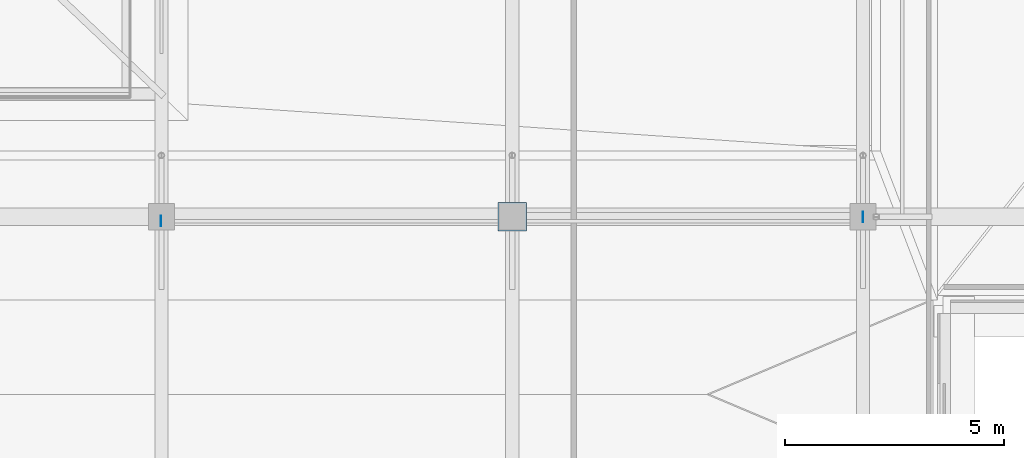
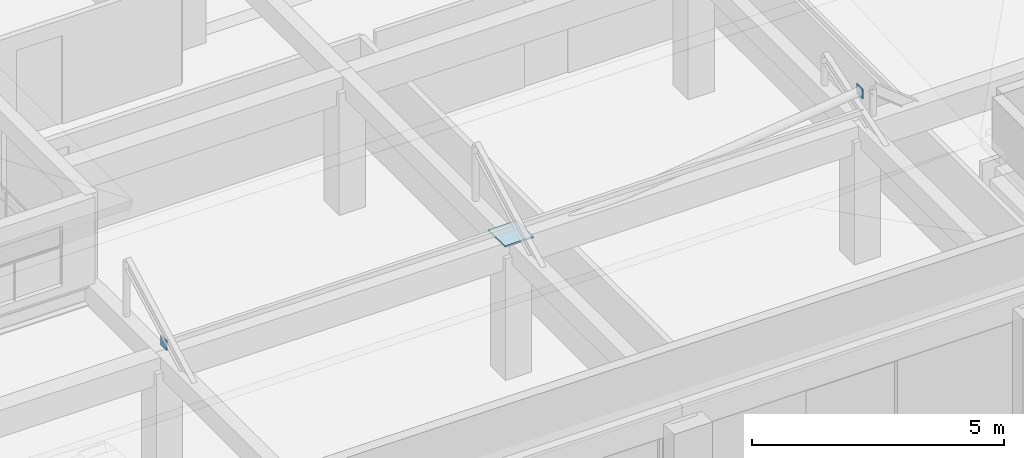
# One storey, part 32 of 39: 3 plates.
"""IFC4 building model written with IfcOpenShell, lengths in metres."""

from ifc_helpers import new_model, si_unit, direction, frame, origin, origin_2d, place, context, subcontext, project, spatial, rectangle, extrude, material, layer, layer_set, type_object, element, save


model = new_model("IFC4")

# Units and contexts
model_context = context("Model", 3, precision=1e-05, world=origin(), true_north=direction((0.0, 1.0)))
body_context = subcontext(model_context, "Body", "Model", "MODEL_VIEW")
ifc_project = project(units=[si_unit("LENGTHUNIT", "METRE"), si_unit("AREAUNIT", "SQUARE_METRE"), si_unit("VOLUMEUNIT", "CUBIC_METRE"), si_unit("PLANEANGLEUNIT", "RADIAN"), si_unit("MASSUNIT", "GRAM", prefix="KILO")], contexts=[model_context])

# Site, building, storey
site_placement = place(None, origin())
site = spatial("IfcSite", under=ifc_project, at=site_placement, CompositionType="ELEMENT")
building_placement = place(site_placement, origin())
building = spatial("IfcBuilding", under=site, at=building_placement, Name="Akrevak Sports Hall", CompositionType="ELEMENT")
storey_placement = place(building_placement, frame((0.0, 0.0, 66.550048828125)))
storey = spatial("IfcBuildingStorey", under=building, at=storey_placement, Name="L17", CompositionType="ELEMENT", Elevation=66.550048828125)

# Plates
ifc_material = material(Name="Steel S355", Category="steel")
ifc_layer_1 = layer(ifc_material, 0.035888671875, Name="Steel S355")
ifc_layer_set_1 = layer_set([ifc_layer_1], Name="Steel S355")
plate_type_1 = type_object("IfcPlateType", Name="STR-PLT-ANCHOR-36", PredefinedType="SHEET", material=ifc_layer_set_1)
plate_placement = place(storey_placement, frame((92.0, 42.0, 3.251953125), z_axis=(0.0, 0.0, 1.0), x_axis=(1.0, 0.0, 0.0)))
element("IfcPlate", 1, at=plate_placement, inside=storey, type_object=plate_type_1, Name="Mansard Rafter Bearing Shoe Plate MBRC-ES-1", PredefinedType="SHEET", context=body_context, shape_type="SweptSolid", body=[
    extrude(rectangle(XDim=0.64990234375, YDim=0.64990234375, at=origin_2d()), origin(), (0.0, 0.0, 1.0), 0.035888671875),
])
ifc_layer_2 = layer(ifc_material, 0.02001953125, Name="Steel S355")
ifc_layer_set_2 = layer_set([ifc_layer_2], Name="Steel S355")
plate_type_2 = type_object("IfcPlateType", Name="STR-PLT-CAP-20", PredefinedType="SHEET", material=ifc_layer_set_2)
for number, where, z_axis, x_axis, name in (
    (2, (100.0, 42.0, 3.81005859375), (0.0, 0.0, 1.0), (1.0, 0.0, 0.0), "Mansard Brace Welded End Cap Plate MBRC-ES-1"),
    (3, (83.989990234375, 41.89990234375, 3.3798828125), (0.0, 0.0, 1.0), (1.0, 0.0, 0.0), "Mansard Purlin Welded End Cap Plate PUR-ESA"),
):
    element("IfcPlate", number, at=place(storey_placement, frame(where, z_axis=z_axis, x_axis=x_axis)), inside=storey, type_object=plate_type_2, Name=name, PredefinedType="SHEET", context=body_context, shape_type="SweptSolid", body=[
        extrude(rectangle(XDim=0.02001953125, YDim=0.239990234375, at=origin_2d()), origin(), (0.0, 0.0, 1.0), 0.239990234375),
    ])

save(model, "model.ifc")
